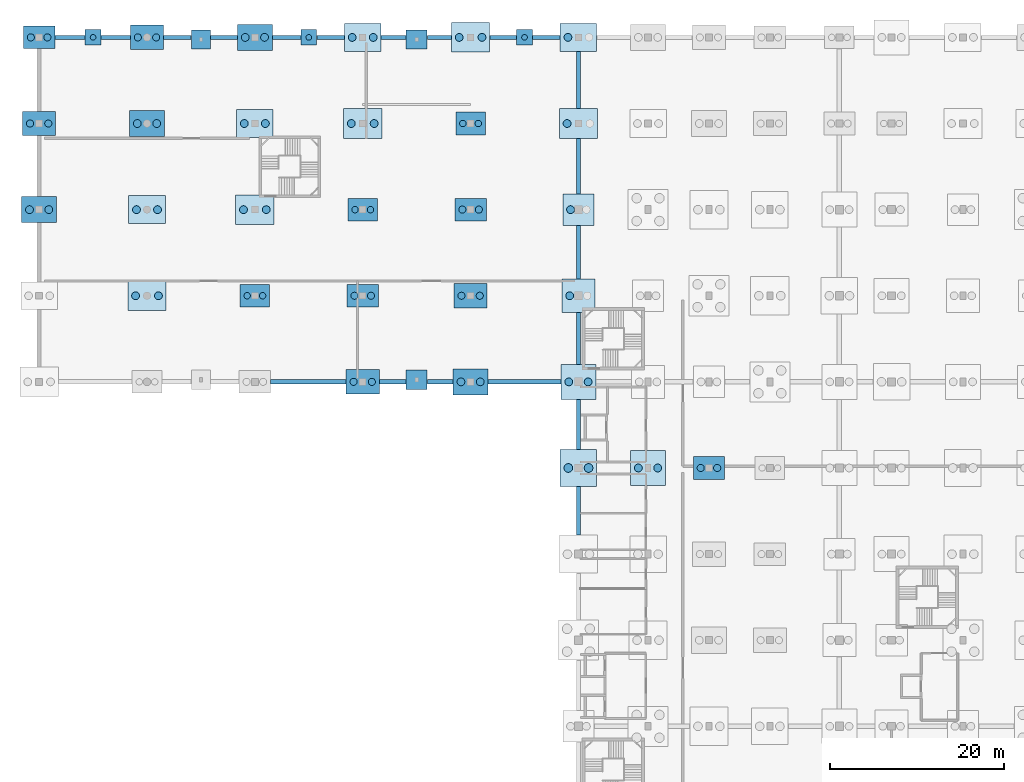
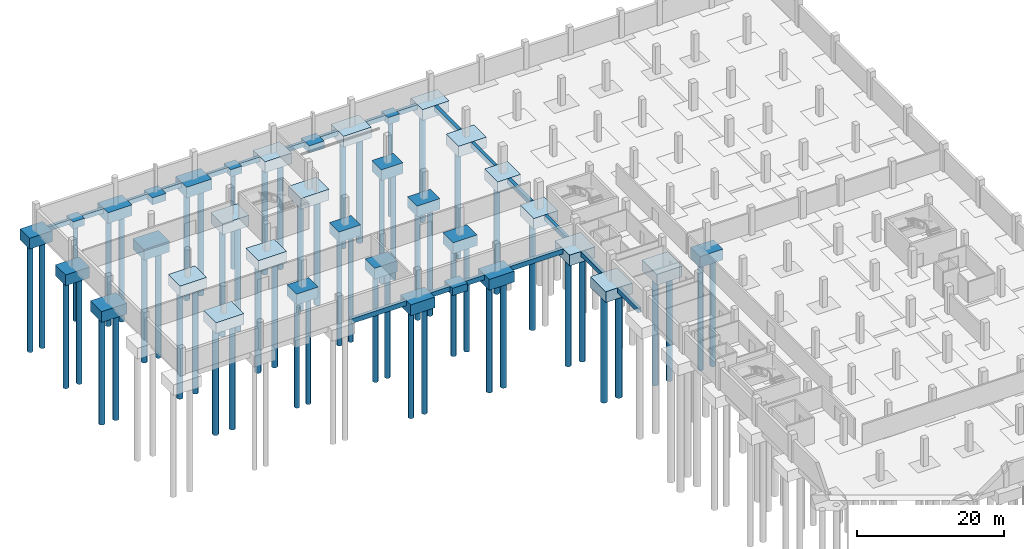
# One storey, part 3 of 30: 57 piles, 55 footings.
"""IFC4 building model written with IfcOpenShell, lengths in metres."""

from ifc_helpers import new_model, si_unit, direction, frame, origin, origin_2d, place, context, subcontext, project, spatial, rectangle, circle, extrude, material, layer, layer_set, material_profile, profile_set, type_object, element, save


model = new_model("IFC4")

# Units and contexts
model_context = context("Model", 3, precision=1e-05, world=origin(), true_north=direction((0.0, 1.0)))
body_context = subcontext(model_context, "Body", "Model", "MODEL_VIEW")
ifc_project = project(units=[si_unit("LENGTHUNIT", "METRE"), si_unit("AREAUNIT", "SQUARE_METRE"), si_unit("VOLUMEUNIT", "CUBIC_METRE"), si_unit("PLANEANGLEUNIT", "RADIAN"), si_unit("MASSUNIT", "GRAM", prefix="KILO")], contexts=[model_context])

# Site, building, storey
site_placement = place(None, origin())
site = spatial("IfcSite", under=ifc_project, at=site_placement, CompositionType="ELEMENT")
building_placement = place(site_placement, origin())
building = spatial("IfcBuilding", under=site, at=building_placement, Name="Sillaruma Civic Art Gallery", CompositionType="ELEMENT")
storey_placement = place(building_placement, frame((0.0, 0.0, -9.179931640625)))
storey = spatial("IfcBuildingStorey", under=building, at=storey_placement, Name="B02", CompositionType="ELEMENT", Elevation=-9.179931640625)

# Footings
ifc_material = material(Name="Concrete H35 (35 MPa)", Category="concrete")
ifc_material_profile_1 = material_profile(ifc_material, rectangle(XDim=0.449951171875, YDim=0.75, at=origin_2d()), Name="RCB450x750")
ifc_profile_set_1 = profile_set([ifc_material_profile_1], Name="Concrete H35 (35 MPa)")
footing_type_1 = type_object("IfcFootingType", Name="FTG-FB-450x750", PredefinedType="FOOTING_BEAM", material=ifc_profile_set_1)
footing_1_placement = place(storey_placement, frame((1.820068359375, 118.800048828125, -0.375), z_axis=(1.0, 0.0, 0.0), x_axis=(0.0, 1.0, 0.0)))
element("IfcFooting", 1, at=footing_1_placement, inside=storey, type_object=footing_type_1, Name="Foundation Tie Beam FB-02 (13:A-B:A)", PredefinedType="FOOTING_BEAM", context=body_context, shape_type="SweptSolid", body=[
    extrude(rectangle(XDim=0.449951171875, YDim=0.75, at=origin_2d()), origin(), (0.0, 0.0, 1.0), 3.4599609375),
])
footing_2_placement = place(storey_placement, frame((7.1201171875, 118.800048828125, -0.375), z_axis=(1.0, 0.0, 0.0), x_axis=(0.0, 1.0, 0.0)))
element("IfcFooting", 2, at=footing_2_placement, inside=storey, type_object=footing_type_1, Name="Foundation Tie Beam FB-02 (13:A-B:B)", PredefinedType="FOOTING_BEAM", context=body_context, shape_type="SweptSolid", body=[
    extrude(rectangle(XDim=0.449951171875, YDim=0.75, at=origin_2d()), origin(), (0.0, 0.0, 1.0), 3.35986328125),
])
footing_3_placement = place(storey_placement, frame((14.320068359375, 118.800048828125, -0.375), z_axis=(1.0, 0.0, 0.0), x_axis=(0.0, 1.0, 0.0)))
element("IfcFooting", 3, at=footing_3_placement, inside=storey, type_object=footing_type_1, Name="Foundation Tie Beam FB-02 (13:B-C:A)", PredefinedType="FOOTING_BEAM", context=body_context, shape_type="SweptSolid", body=[
    extrude(rectangle(XDim=0.449951171875, YDim=0.75, at=origin_2d()), origin(), (0.0, 0.0, 1.0), 3.159912109375),
])
footing_4_placement = place(storey_placement, frame((19.719970703125, 118.800048828125, -0.375), z_axis=(1.0, 0.0, 0.0), x_axis=(0.0, 1.0, 0.0)))
element("IfcFooting", 4, at=footing_4_placement, inside=storey, type_object=footing_type_1, Name="Foundation Tie Beam FB-02 (13:B-C:B)", PredefinedType="FOOTING_BEAM", context=body_context, shape_type="SweptSolid", body=[
    extrude(rectangle(XDim=0.449951171875, YDim=0.75, at=origin_2d()), origin(), (0.0, 0.0, 1.0), 3.06005859375),
])
footing_5_placement = place(storey_placement, frame((26.820068359375, 118.800048828125, -0.375), z_axis=(1.0, 0.0, 0.0), x_axis=(0.0, 1.0, 0.0)))
element("IfcFooting", 5, at=footing_5_placement, inside=storey, type_object=footing_type_1, Name="Foundation Tie Beam FB-02 (13:C-D:A)", PredefinedType="FOOTING_BEAM", context=body_context, shape_type="SweptSolid", body=[
    extrude(rectangle(XDim=0.449951171875, YDim=0.75, at=origin_2d()), origin(), (0.0, 0.0, 1.0), 3.260009765625),
])
footing_6_placement = place(storey_placement, frame((31.919921875, 118.800048828125, -0.375), z_axis=(1.0, 0.0, 0.0), x_axis=(0.0, 1.0, 0.0)))
element("IfcFooting", 6, at=footing_6_placement, inside=storey, type_object=footing_type_1, Name="Foundation Tie Beam FB-02 (13:C-D:B)", PredefinedType="FOOTING_BEAM", context=body_context, shape_type="SweptSolid", body=[
    extrude(rectangle(XDim=0.449951171875, YDim=0.75, at=origin_2d()), origin(), (0.0, 0.0, 1.0), 3.16015625),
])
footing_7_placement = place(storey_placement, frame((39.320068359375, 118.800048828125, -0.375), z_axis=(1.0, 0.0, 0.0), x_axis=(0.0, 1.0, 0.0)))
element("IfcFooting", 7, at=footing_7_placement, inside=storey, type_object=footing_type_1, Name="Foundation Tie Beam FB-02 (13:D-E:A)", PredefinedType="FOOTING_BEAM", context=body_context, shape_type="SweptSolid", body=[
    extrude(rectangle(XDim=0.449951171875, YDim=0.75, at=origin_2d()), origin(), (0.0, 0.0, 1.0), 2.85986328125),
])
footing_8_placement = place(storey_placement, frame((44.6201171875, 118.800048828125, -0.375), z_axis=(1.0, 0.0, 0.0), x_axis=(0.0, 1.0, 0.0)))
element("IfcFooting", 8, at=footing_8_placement, inside=storey, type_object=footing_type_1, Name="Foundation Tie Beam FB-02 (13:D-E:B)", PredefinedType="FOOTING_BEAM", context=body_context, shape_type="SweptSolid", body=[
    extrude(rectangle(XDim=0.449951171875, YDim=0.75, at=origin_2d()), origin(), (0.0, 0.0, 1.0), 2.759765625),
])
footing_9_placement = place(storey_placement, frame((51.820068359375, 118.800048828125, -0.375), z_axis=(1.0, 0.0, 0.0), x_axis=(0.0, 1.0, 0.0)))
element("IfcFooting", 9, at=footing_9_placement, inside=storey, type_object=footing_type_1, Name="Foundation Tie Beam FB-02 (13:E-F:A)", PredefinedType="FOOTING_BEAM", context=body_context, shape_type="SweptSolid", body=[
    extrude(rectangle(XDim=0.449951171875, YDim=0.75, at=origin_2d()), origin(), (0.0, 0.0, 1.0), 3.059814453125),
])
footing_10_placement = place(storey_placement, frame((56.719970703125, 118.800048828125, -0.375), z_axis=(1.0, 0.0, 0.0), x_axis=(0.0, 1.0, 0.0)))
element("IfcFooting", 10, at=footing_10_placement, inside=storey, type_object=footing_type_1, Name="Foundation Tie Beam FB-02 (13:E-F:B)", PredefinedType="FOOTING_BEAM", context=body_context, shape_type="SweptSolid", body=[
    extrude(rectangle(XDim=0.449951171875, YDim=0.75, at=origin_2d()), origin(), (0.0, 0.0, 1.0), 3.159912109375),
])
ifc_material_profile_2 = material_profile(ifc_material, rectangle(XDim=0.5, YDim=0.800048828125, at=origin_2d()), Name="RCB500x800")
ifc_profile_set_2 = profile_set([ifc_material_profile_2], Name="Concrete H35 (35 MPa)")
footing_type_2 = type_object("IfcFootingType", Name="FTG-FB-500x800", PredefinedType="FOOTING_BEAM", material=ifc_profile_set_2)
footing_11_placement = place(storey_placement, frame((26.6201171875, 79.199951171875, -0.400146484375), z_axis=(1.0, 0.0, 0.0), x_axis=(0.0, 1.0, 0.0)))
element("IfcFooting", 11, at=footing_11_placement, inside=storey, type_object=footing_type_2, Name="Foundation Tie Beam FB-01 (9:C-D:1)", PredefinedType="FOOTING_BEAM", context=body_context, shape_type="SweptSolid", body=[
    extrude(rectangle(XDim=0.5, YDim=0.800048828125, at=origin_2d()), origin(), (0.0, 0.0, 1.0), 8.659912109375),
])
footing_12_placement = place(storey_placement, frame((39.1201171875, 79.199951171875, -0.400146484375), z_axis=(1.0, 0.0, 0.0), x_axis=(0.0, 1.0, 0.0)))
element("IfcFooting", 12, at=footing_12_placement, inside=storey, type_object=footing_type_2, Name="Foundation Tie Beam FB-01 (9:D-E:A)", PredefinedType="FOOTING_BEAM", context=body_context, shape_type="SweptSolid", body=[
    extrude(rectangle(XDim=0.5, YDim=0.800048828125, at=origin_2d()), origin(), (0.0, 0.0, 1.0), 3.059814453125),
])
footing_13_placement = place(storey_placement, frame((44.6201171875, 79.199951171875, -0.400146484375), z_axis=(1.0, 0.0, 0.0), x_axis=(0.0, 1.0, 0.0)))
element("IfcFooting", 13, at=footing_13_placement, inside=storey, type_object=footing_type_2, Name="Foundation Tie Beam FB-01 (9:D-E:B)", PredefinedType="FOOTING_BEAM", context=body_context, shape_type="SweptSolid", body=[
    extrude(rectangle(XDim=0.5, YDim=0.800048828125, at=origin_2d()), origin(), (0.0, 0.0, 1.0), 2.9599609375),
])
footing_14_placement = place(storey_placement, frame((51.6201171875, 79.199951171875, -0.400146484375), z_axis=(1.0, 0.0, 0.0), x_axis=(0.0, 1.0, 0.0)))
element("IfcFooting", 14, at=footing_14_placement, inside=storey, type_object=footing_type_2, Name="Foundation Tie Beam FB-01 (9:E-F:1)", PredefinedType="FOOTING_BEAM", context=body_context, shape_type="SweptSolid", body=[
    extrude(rectangle(XDim=0.5, YDim=0.800048828125, at=origin_2d()), origin(), (0.0, 0.0, 1.0), 8.35986328125),
])
footing_15_placement = place(storey_placement, frame((62.0, 61.6201171875, -0.400146484375), z_axis=(0.0, 1.0, 0.0), x_axis=(-1.0, 0.0, 0.0)))
element("IfcFooting", 15, at=footing_15_placement, inside=storey, type_object=footing_type_2, Name="Foundation Tie Beam FB-01 (F:7-8)", PredefinedType="FOOTING_BEAM", context=body_context, shape_type="SweptSolid", body=[
    extrude(rectangle(XDim=0.5, YDim=0.800048828125, at=origin_2d()), origin(), (0.0, 0.0, 1.0), 5.559814453125),
])
footing_16_placement = place(storey_placement, frame((62.0, 71.419921875, -0.400146484375), z_axis=(0.0, 1.0, 0.0), x_axis=(-1.0, 0.0, 0.0)))
element("IfcFooting", 16, at=footing_16_placement, inside=storey, type_object=footing_type_2, Name="Foundation Tie Beam FB-01 (F:8-9)", PredefinedType="FOOTING_BEAM", context=body_context, shape_type="SweptSolid", body=[
    extrude(rectangle(XDim=0.5, YDim=0.800048828125, at=origin_2d()), origin(), (0.0, 0.0, 1.0), 5.760009765625),
])
footing_17_placement = place(storey_placement, frame((62.0, 81.219970703125, -0.400146484375), z_axis=(0.0, 1.0, 0.0), x_axis=(-1.0, 0.0, 0.0)))
element("IfcFooting", 17, at=footing_17_placement, inside=storey, type_object=footing_type_2, Name="Foundation Tie Beam FB-01 (F:9-10)", PredefinedType="FOOTING_BEAM", context=body_context, shape_type="SweptSolid", body=[
    extrude(rectangle(XDim=0.5, YDim=0.800048828125, at=origin_2d()), origin(), (0.0, 0.0, 1.0), 5.9599609375),
])
footing_18_placement = place(storey_placement, frame((62.0, 91.02001953125, -0.400146484375), z_axis=(0.0, 1.0, 0.0), x_axis=(-1.0, 0.0, 0.0)))
element("IfcFooting", 18, at=footing_18_placement, inside=storey, type_object=footing_type_2, Name="Foundation Tie Beam FB-01 (F:10-11)", PredefinedType="FOOTING_BEAM", context=body_context, shape_type="SweptSolid", body=[
    extrude(rectangle(XDim=0.5, YDim=0.800048828125, at=origin_2d()), origin(), (0.0, 0.0, 1.0), 6.159912109375),
])
footing_19_placement = place(storey_placement, frame((62.0, 100.820068359375, -0.400146484375), z_axis=(0.0, 1.0, 0.0), x_axis=(-1.0, 0.0, 0.0)))
element("IfcFooting", 19, at=footing_19_placement, inside=storey, type_object=footing_type_2, Name="Foundation Tie Beam FB-01 (F:11-12)", PredefinedType="FOOTING_BEAM", context=body_context, shape_type="SweptSolid", body=[
    extrude(rectangle(XDim=0.5, YDim=0.800048828125, at=origin_2d()), origin(), (0.0, 0.0, 1.0), 6.35986328125),
])
footing_20_placement = place(storey_placement, frame((62.0, 110.6201171875, -0.400146484375), z_axis=(0.0, 1.0, 0.0), x_axis=(-1.0, 0.0, 0.0)))
element("IfcFooting", 20, at=footing_20_placement, inside=storey, type_object=footing_type_2, Name="Foundation Tie Beam FB-01 (F:12-13)", PredefinedType="FOOTING_BEAM", context=body_context, shape_type="SweptSolid", body=[
    extrude(rectangle(XDim=0.5, YDim=0.800048828125, at=origin_2d()), origin(), (0.0, 0.0, 1.0), 6.559814453125),
])
ifc_layer_1 = layer(ifc_material, 1.199951171875, Name="Concrete H35 (35 MPa)")
ifc_layer_set_1 = layer_set([ifc_layer_1], Name="Concrete H35 (35 MPa)")
footing_type_3 = type_object("IfcFootingType", Name="FTG-PAD-18x18", PredefinedType="PAD_FOOTING", material=ifc_layer_set_1)
for number, where, z_axis, x_axis, name in (
    (21, (6.199951171875, 118.800048828125, -1.2001953125), (0.0, 0.0, 1.0), (1.0, 0.0, 0.0), "Shoring Pile Cap PF-03 (01)"),
    (22, (31.0, 118.800048828125, -1.2001953125), (0.0, 0.0, 1.0), (1.0, 0.0, 0.0), "Shoring Pile Cap PF-03 (02)"),
    (23, (55.800048828125, 118.800048828125, -1.2001953125), (0.0, 0.0, 1.0), (1.0, 0.0, 0.0), "Shoring Pile Cap PF-03 (03)"),
):
    element("IfcFooting", number, at=place(storey_placement, frame(where, z_axis=z_axis, x_axis=x_axis)), inside=storey, type_object=footing_type_3, Name=name, PredefinedType="PAD_FOOTING", context=body_context, shape_type="SweptSolid", body=[
        extrude(rectangle(XDim=1.800048828125, YDim=1.800048828125, at=origin_2d()), origin(), (0.0, 0.0, 1.0), 1.199951171875),
    ])
ifc_layer_2 = layer(ifc_material, 1.199951171875, Name="Concrete H35 (35 MPa)")
ifc_layer_set_2 = layer_set([ifc_layer_2], Name="Concrete H35 (35 MPa)")
footing_type_4 = type_object("IfcFootingType", Name="FTG-PAD-22x22", PredefinedType="PAD_FOOTING", material=ifc_layer_set_2)
footing_21_placement = place(storey_placement, frame((18.60009765625, 118.550048828125, -1.2001953125), z_axis=(0.0, 0.0, 1.0), x_axis=(1.0, 0.0, 0.0)))
element("IfcFooting", 24, at=footing_21_placement, inside=storey, type_object=footing_type_4, Name="Pad Footing PF-01 (PIL-W3)", PredefinedType="PAD_FOOTING", context=body_context, shape_type="SweptSolid", body=[
    extrude(rectangle(XDim=2.199951171875, YDim=2.199951171875, at=origin_2d()), origin(), (0.0, 0.0, 1.0), 1.199951171875),
])
ifc_layer_3 = layer(ifc_material, 1.199951171875, Name="Concrete H35 (35 MPa)")
ifc_layer_set_3 = layer_set([ifc_layer_3], Name="Concrete H35 (35 MPa)")
footing_type_5 = type_object("IfcFootingType", Name="FTG-PAD-24x22", PredefinedType="PAD_FOOTING", material=ifc_layer_set_3)
for number, where, z_axis, x_axis, name in (
    (25, (43.39990234375, 79.449951171875, -1.2001953125), (0.0, 0.0, 1.0), (1.0, 0.0, 0.0), "Pad Footing PF-02 (PIL-W2)"),
    (26, (43.39990234375, 118.550048828125, -1.2001953125), (0.0, 0.0, 1.0), (1.0, 0.0, 0.0), "Pad Footing PF-02 (PIL-W4)"),
):
    element("IfcFooting", number, at=place(storey_placement, frame(where, z_axis=z_axis, x_axis=x_axis)), inside=storey, type_object=footing_type_5, Name=name, PredefinedType="PAD_FOOTING", context=body_context, shape_type="SweptSolid", body=[
        extrude(rectangle(XDim=2.39990234375, YDim=2.199951171875, at=origin_2d()), origin(), (0.0, 0.0, 1.0), 1.199951171875),
    ])
ifc_layer_4 = layer(ifc_material, 1.800048828125, Name="Concrete H35 (35 MPa)")
ifc_layer_set_4 = layer_set([ifc_layer_4], Name="Concrete H35 (35 MPa)")
footing_type_6 = type_object("IfcFootingType", Name="FTG-PC-34x26", PredefinedType="PILE_CAP", material=ifc_layer_set_4)
for number, where, z_axis, x_axis, name in (
    (27, (24.800048828125, 89.10009765625, -1.80029296875), (0.0, 0.0, 1.0), (1.0, 0.0, 0.0), "Pile Cap PC-12 (C10)"),
    (28, (37.199951171875, 99.0, -1.80029296875), (0.0, 0.0, 1.0), (1.0, 0.0, 0.0), "Pile Cap PC-12 (D11)"),
    (29, (49.60009765625, 108.89990234375, -1.80029296875), (0.0, 0.0, 1.0), (1.0, 0.0, 0.0), "Pile Cap PC-12 (E12)"),
):
    element("IfcFooting", number, at=place(storey_placement, frame(where, z_axis=z_axis, x_axis=x_axis)), inside=storey, type_object=footing_type_6, Name=name, PredefinedType="PILE_CAP", context=body_context, shape_type="SweptSolid", body=[
        extrude(rectangle(XDim=3.39990234375, YDim=2.60009765625, at=origin_2d()), origin(), (0.0, 0.0, 1.0), 1.800048828125),
    ])
ifc_layer_5 = layer(ifc_material, 1.800048828125, Name="Concrete H35 (35 MPa)")
ifc_layer_set_5 = layer_set([ifc_layer_5], Name="Concrete H35 (35 MPa)")
footing_type_7 = type_object("IfcFootingType", Name="FTG-PC-36x26", PredefinedType="PILE_CAP", material=ifc_layer_set_5)
for number, where, z_axis, x_axis, name in (
    (30, (0.0, 118.800048828125, -1.80029296875), (0.0, 0.0, 1.0), (1.0, 0.0, 0.0), "Pile Cap PC-11 (A13)"),
    (31, (37.199951171875, 89.10009765625, -1.80029296875), (0.0, 0.0, 1.0), (1.0, 0.0, 0.0), "Pile Cap PC-11 (D10)"),
    (32, (49.60009765625, 99.0, -1.80029296875), (0.0, 0.0, 1.0), (1.0, 0.0, 0.0), "Pile Cap PC-11 (E11)"),
    (33, (77.0, 69.300048828125, -1.80029296875), (0.0, 0.0, 1.0), (1.0, 0.0, 0.0), "Pile Cap PC-11 (H8)"),
):
    element("IfcFooting", number, at=place(storey_placement, frame(where, z_axis=z_axis, x_axis=x_axis)), inside=storey, type_object=footing_type_7, Name=name, PredefinedType="PILE_CAP", context=body_context, shape_type="SweptSolid", body=[
        extrude(rectangle(XDim=3.60009765625, YDim=2.60009765625, at=origin_2d()), origin(), (0.0, 0.0, 1.0), 1.800048828125),
    ])
ifc_layer_6 = layer(ifc_material, 1.800048828125, Name="Concrete H35 (35 MPa)")
ifc_layer_set_6 = layer_set([ifc_layer_6], Name="Concrete H35 (35 MPa)")
footing_type_8 = type_object("IfcFootingType", Name="FTG-PC-36x36", PredefinedType="PILE_CAP", material=ifc_layer_set_6)
footing_22_placement = place(storey_placement, frame((62.0, 99.0, -1.80029296875), z_axis=(0.0, 0.0, 1.0), x_axis=(1.0, 0.0, 0.0)))
element("IfcFooting", 34, at=footing_22_placement, inside=storey, type_object=footing_type_8, Name="Pile Cap PC-06 (F11)", PredefinedType="PILE_CAP", context=body_context, shape_type="SweptSolid", body=[
    extrude(rectangle(XDim=3.60009765625, YDim=3.60009765625, at=origin_2d()), origin(), (0.0, 0.0, 1.0), 1.800048828125),
])
ifc_layer_7 = layer(ifc_material, 1.800048828125, Name="Concrete H35 (35 MPa)")
ifc_layer_set_7 = layer_set([ifc_layer_7], Name="Concrete H35 (35 MPa)")
footing_type_9 = type_object("IfcFootingType", Name="FTG-PC-38x28", PredefinedType="PILE_CAP", material=ifc_layer_set_7)
for number, where, z_axis, x_axis, name in (
    (35, (0.0, 108.89990234375, -1.80029296875), (0.0, 0.0, 1.0), (1.0, 0.0, 0.0), "Pile Cap PC-10 (A12)"),
    (36, (12.39990234375, 118.800048828125, -1.80029296875), (0.0, 0.0, 1.0), (1.0, 0.0, 0.0), "Pile Cap PC-10 (B13)"),
    (37, (37.199951171875, 79.199951171875, -1.80029296875), (0.0, 0.0, 1.0), (1.0, 0.0, 0.0), "Pile Cap PC-10 (D9)"),
    (38, (49.60009765625, 89.10009765625, -1.80029296875), (0.0, 0.0, 1.0), (1.0, 0.0, 0.0), "Pile Cap PC-10 (E10)"),
):
    element("IfcFooting", number, at=place(storey_placement, frame(where, z_axis=z_axis, x_axis=x_axis)), inside=storey, type_object=footing_type_9, Name=name, PredefinedType="PILE_CAP", context=body_context, shape_type="SweptSolid", body=[
        extrude(rectangle(XDim=3.800048828125, YDim=2.800048828125, at=origin_2d()), origin(), (0.0, 0.0, 1.0), 1.800048828125),
    ])
ifc_layer_8 = layer(ifc_material, 1.800048828125, Name="Concrete H35 (35 MPa)")
ifc_layer_set_8 = layer_set([ifc_layer_8], Name="Concrete H35 (35 MPa)")
footing_type_10 = type_object("IfcFootingType", Name="FTG-PC-38x38", PredefinedType="PILE_CAP", material=ifc_layer_set_8)
footing_23_placement = place(storey_placement, frame((62.0, 89.10009765625, -1.80029296875), z_axis=(0.0, 0.0, 1.0), x_axis=(1.0, 0.0, 0.0)))
element("IfcFooting", 39, at=footing_23_placement, inside=storey, type_object=footing_type_10, Name="Pile Cap PC-05 (F10)", PredefinedType="PILE_CAP", context=body_context, shape_type="SweptSolid", body=[
    extrude(rectangle(XDim=3.800048828125, YDim=3.800048828125, at=origin_2d()), origin(), (0.0, 0.0, 1.0), 1.800048828125),
])
ifc_layer_9 = layer(ifc_material, 1.800048828125, Name="Concrete H35 (35 MPa)")
ifc_layer_set_9 = layer_set([ifc_layer_9], Name="Concrete H35 (35 MPa)")
footing_type_11 = type_object("IfcFootingType", Name="FTG-PC-40x30", PredefinedType="PILE_CAP", material=ifc_layer_set_9)
for number, where, z_axis, x_axis, name in (
    (40, (0.0, 99.0, -1.80029296875), (0.0, 0.0, 1.0), (1.0, 0.0, 0.0), "Pile Cap PC-09 (A11)"),
    (41, (12.39990234375, 108.89990234375, -1.80029296875), (0.0, 0.0, 1.0), (1.0, 0.0, 0.0), "Pile Cap PC-09 (B12)"),
    (42, (24.800048828125, 118.800048828125, -1.80029296875), (0.0, 0.0, 1.0), (1.0, 0.0, 0.0), "Pile Cap PC-09 (C13)"),
    (43, (49.60009765625, 79.199951171875, -1.80029296875), (0.0, 0.0, 1.0), (1.0, 0.0, 0.0), "Pile Cap PC-09 (E9)"),
):
    element("IfcFooting", number, at=place(storey_placement, frame(where, z_axis=z_axis, x_axis=x_axis)), inside=storey, type_object=footing_type_11, Name=name, PredefinedType="PILE_CAP", context=body_context, shape_type="SweptSolid", body=[
        extrude(rectangle(XDim=4.0, YDim=3.0, at=origin_2d()), origin(), (0.0, 0.0, 1.0), 1.800048828125),
    ])
ifc_layer_10 = layer(ifc_material, 1.800048828125, Name="Concrete H35 (35 MPa)")
ifc_layer_set_10 = layer_set([ifc_layer_10], Name="Concrete H35 (35 MPa)")
footing_type_12 = type_object("IfcFootingType", Name="FTG-PC-40x40", PredefinedType="PILE_CAP", material=ifc_layer_set_10)
for number, where, z_axis, x_axis, name in (
    (44, (62.0, 79.199951171875, -1.80029296875), (0.0, 0.0, 1.0), (1.0, 0.0, 0.0), "Pile Cap PC-04 (F9)"),
    (45, (70.0, 69.300048828125, -1.80029296875), (0.0, 0.0, 1.0), (1.0, 0.0, 0.0), "Pile Cap PC-04 (G8)"),
):
    element("IfcFooting", number, at=place(storey_placement, frame(where, z_axis=z_axis, x_axis=x_axis)), inside=storey, type_object=footing_type_12, Name=name, PredefinedType="PILE_CAP", context=body_context, shape_type="SweptSolid", body=[
        extrude(rectangle(XDim=4.0, YDim=4.0, at=origin_2d()), origin(), (0.0, 0.0, 1.0), 1.800048828125),
    ])
ifc_layer_11 = layer(ifc_material, 1.800048828125, Name="Concrete H35 (35 MPa)")
ifc_layer_set_11 = layer_set([ifc_layer_11], Name="Concrete H35 (35 MPa)")
footing_type_13 = type_object("IfcFootingType", Name="FTG-PC-42x32", PredefinedType="PILE_CAP", material=ifc_layer_set_11)
for number, where, z_axis, x_axis, name in (
    (46, (12.39990234375, 99.0, -1.80029296875), (0.0, 0.0, 1.0), (1.0, 0.0, 0.0), "Pile Cap PC-08 (B11)"),
    (47, (24.800048828125, 108.89990234375, -1.80029296875), (0.0, 0.0, 1.0), (1.0, 0.0, 0.0), "Pile Cap PC-08 (C12)"),
    (48, (37.199951171875, 118.800048828125, -1.80029296875), (0.0, 0.0, 1.0), (1.0, 0.0, 0.0), "Pile Cap PC-08 (D13)"),
    (49, (62.0, 118.800048828125, -1.80029296875), (0.0, 0.0, 1.0), (1.0, 0.0, 0.0), "Pile Cap PC-08 (F13)"),
):
    element("IfcFooting", number, at=place(storey_placement, frame(where, z_axis=z_axis, x_axis=x_axis)), inside=storey, type_object=footing_type_13, Name=name, PredefinedType="PILE_CAP", context=body_context, shape_type="SweptSolid", body=[
        extrude(rectangle(XDim=4.199951171875, YDim=3.199951171875, at=origin_2d()), origin(), (0.0, 0.0, 1.0), 1.800048828125),
    ])
ifc_layer_12 = layer(ifc_material, 1.800048828125, Name="Concrete H35 (35 MPa)")
ifc_layer_set_12 = layer_set([ifc_layer_12], Name="Concrete H35 (35 MPa)")
footing_type_14 = type_object("IfcFootingType", Name="FTG-PC-42x42", PredefinedType="PILE_CAP", material=ifc_layer_set_12)
footing_24_placement = place(storey_placement, frame((62.0, 69.300048828125, -1.80029296875), z_axis=(0.0, 0.0, 1.0), x_axis=(1.0, 0.0, 0.0)))
element("IfcFooting", 50, at=footing_24_placement, inside=storey, type_object=footing_type_14, Name="Pile Cap PC-03 (F8)", PredefinedType="PILE_CAP", context=body_context, shape_type="SweptSolid", body=[
    extrude(rectangle(XDim=4.199951171875, YDim=4.199951171875, at=origin_2d()), origin(), (0.0, 0.0, 1.0), 1.800048828125),
])
ifc_layer_13 = layer(ifc_material, 1.800048828125, Name="Concrete H35 (35 MPa)")
ifc_layer_set_13 = layer_set([ifc_layer_13], Name="Concrete H35 (35 MPa)")
footing_type_15 = type_object("IfcFootingType", Name="FTG-PC-44x34", PredefinedType="PILE_CAP", material=ifc_layer_set_13)
for number, where, z_axis, x_axis, name in (
    (51, (12.39990234375, 89.10009765625, -1.80029296875), (0.0, 0.0, 1.0), (1.0, 0.0, 0.0), "Pile Cap PC-07 (B10)"),
    (52, (24.800048828125, 99.0, -1.80029296875), (0.0, 0.0, 1.0), (1.0, 0.0, 0.0), "Pile Cap PC-07 (C11)"),
    (53, (37.199951171875, 108.89990234375, -1.80029296875), (0.0, 0.0, 1.0), (1.0, 0.0, 0.0), "Pile Cap PC-07 (D12)"),
    (54, (49.60009765625, 118.800048828125, -1.80029296875), (0.0, 0.0, 1.0), (1.0, 0.0, 0.0), "Pile Cap PC-07 (E13)"),
    (55, (62.0, 108.89990234375, -1.80029296875), (0.0, 0.0, 1.0), (1.0, 0.0, 0.0), "Pile Cap PC-07 (F12)"),
):
    element("IfcFooting", number, at=place(storey_placement, frame(where, z_axis=z_axis, x_axis=x_axis)), inside=storey, type_object=footing_type_15, Name=name, PredefinedType="PILE_CAP", context=body_context, shape_type="SweptSolid", body=[
        extrude(rectangle(XDim=4.39990234375, YDim=3.39990234375, at=origin_2d()), origin(), (0.0, 0.0, 1.0), 1.800048828125),
    ])

# Piles
ifc_material_profile_3 = material_profile(ifc_material, circle(Radius=0.5, at=origin_2d()), Name="PILE1000")
ifc_profile_set_3 = profile_set([ifc_material_profile_3], Name="Concrete H35 (35 MPa)")
pile_type_1 = type_object("IfcPileType", Name="PIL-BORED-PILE1000", PredefinedType="BORED", material=ifc_profile_set_3)
for number, where, z_axis, x_axis, name in (
    (56, (60.840087890625, 69.300048828125, -1.800048828125), (0.0, 0.0, -1.0), (1.0, 0.0, 0.0), "Bored Pile PL-B1000 (F8-1)"),
    (57, (63.159912109375, 69.300048828125, -1.800048828125), (0.0, 0.0, -1.0), (1.0, 0.0, 0.0), "Bored Pile PL-B1000 (F8-2)"),
):
    element("IfcPile", number, at=place(storey_placement, frame(where, z_axis=z_axis, x_axis=x_axis)), inside=storey, type_object=pile_type_1, Name=name, PredefinedType="BORED", context=body_context, shape_type="SweptSolid", body=[
        extrude(circle(Radius=0.5, at=origin_2d()), origin(), (0.0, 0.0, 1.0), 18.0),
    ])
ifc_material_profile_4 = material_profile(ifc_material, circle(Radius=0.3701171875, at=origin_2d()), Name="PILE740")
ifc_profile_set_4 = profile_set([ifc_material_profile_4], Name="Concrete H35 (35 MPa)")
pile_type_2 = type_object("IfcPileType", Name="PIL-BORED-PILE740", PredefinedType="BORED", material=ifc_profile_set_4)
for number, where, z_axis, x_axis, name in (
    (58, (23.909912109375, 89.10009765625, -1.800048828125), (0.0, 0.0, -1.0), (1.0, 0.0, 0.0), "Bored Pile PL-B740 (C10-1)"),
    (59, (25.68994140625, 89.10009765625, -1.800048828125), (0.0, 0.0, -1.0), (1.0, 0.0, 0.0), "Bored Pile PL-B740 (C10-2)"),
    (60, (36.31005859375, 99.0, -1.800048828125), (0.0, 0.0, -1.0), (1.0, 0.0, 0.0), "Bored Pile PL-B740 (D11-1)"),
    (61, (38.090087890625, 99.0, -1.800048828125), (0.0, 0.0, -1.0), (1.0, 0.0, 0.0), "Bored Pile PL-B740 (D11-2)"),
    (62, (48.7099609375, 108.89990234375, -1.800048828125), (0.0, 0.0, -1.0), (1.0, 0.0, 0.0), "Bored Pile PL-B740 (E12-1)"),
    (63, (50.489990234375, 108.89990234375, -1.800048828125), (0.0, 0.0, -1.0), (1.0, 0.0, 0.0), "Bored Pile PL-B740 (E12-2)"),
):
    element("IfcPile", number, at=place(storey_placement, frame(where, z_axis=z_axis, x_axis=x_axis)), inside=storey, type_object=pile_type_2, Name=name, PredefinedType="BORED", context=body_context, shape_type="SweptSolid", body=[
        extrude(circle(Radius=0.3701171875, at=origin_2d()), origin(), (0.0, 0.0, 1.0), 18.0),
    ])
ifc_material_profile_5 = material_profile(ifc_material, circle(Radius=0.409912109375, at=origin_2d()), Name="PILE820")
ifc_profile_set_5 = profile_set([ifc_material_profile_5], Name="Concrete H35 (35 MPa)")
pile_type_3 = type_object("IfcPileType", Name="PIL-BORED-PILE820", PredefinedType="BORED", material=ifc_profile_set_5)
for number, where, z_axis, x_axis, name in (
    (64, (-1.050048828125, 108.89990234375, -1.800048828125), (0.0, 0.0, -1.0), (1.0, 0.0, 0.0), "Bored Pile PL-B820 (A12-1)"),
    (65, (1.050048828125, 108.89990234375, -1.800048828125), (0.0, 0.0, -1.0), (1.0, 0.0, 0.0), "Bored Pile PL-B820 (A12-2)"),
    (66, (-0.949951171875, 118.800048828125, -1.800048828125), (0.0, 0.0, -1.0), (1.0, 0.0, 0.0), "Bored Pile PL-B820 (A13-1)"),
    (67, (0.949951171875, 118.800048828125, -1.800048828125), (0.0, 0.0, -1.0), (1.0, 0.0, 0.0), "Bored Pile PL-B820 (A13-2)"),
    (68, (11.35009765625, 118.800048828125, -1.800048828125), (0.0, 0.0, -1.0), (1.0, 0.0, 0.0), "Bored Pile PL-B820 (B13-1)"),
    (69, (13.449951171875, 118.800048828125, -1.800048828125), (0.0, 0.0, -1.0), (1.0, 0.0, 0.0), "Bored Pile PL-B820 (B13-2)"),
    (70, (36.14990234375, 79.199951171875, -1.800048828125), (0.0, 0.0, -1.0), (1.0, 0.0, 0.0), "Bored Pile PL-B820 (D9-1)"),
    (71, (38.25, 79.199951171875, -1.800048828125), (0.0, 0.0, -1.0), (1.0, 0.0, 0.0), "Bored Pile PL-B820 (D9-2)"),
    (72, (36.25, 89.10009765625, -1.800048828125), (0.0, 0.0, -1.0), (1.0, 0.0, 0.0), "Bored Pile PL-B820 (D10-1)"),
    (73, (38.14990234375, 89.10009765625, -1.800048828125), (0.0, 0.0, -1.0), (1.0, 0.0, 0.0), "Bored Pile PL-B820 (D10-2)"),
    (74, (48.550048828125, 89.10009765625, -1.800048828125), (0.0, 0.0, -1.0), (1.0, 0.0, 0.0), "Bored Pile PL-B820 (E10-1)"),
    (75, (50.64990234375, 89.10009765625, -1.800048828125), (0.0, 0.0, -1.0), (1.0, 0.0, 0.0), "Bored Pile PL-B820 (E10-2)"),
    (76, (48.64990234375, 99.0, -1.800048828125), (0.0, 0.0, -1.0), (1.0, 0.0, 0.0), "Bored Pile PL-B820 (E11-1)"),
    (77, (50.550048828125, 99.0, -1.800048828125), (0.0, 0.0, -1.0), (1.0, 0.0, 0.0), "Bored Pile PL-B820 (E11-2)"),
    (78, (76.050048828125, 69.300048828125, -1.800048828125), (0.0, 0.0, -1.0), (1.0, 0.0, 0.0), "Bored Pile PL-B820 (H8-1)"),
    (79, (77.949951171875, 69.300048828125, -1.800048828125), (0.0, 0.0, -1.0), (1.0, 0.0, 0.0), "Bored Pile PL-B820 (H8-2)"),
):
    element("IfcPile", number, at=place(storey_placement, frame(where, z_axis=z_axis, x_axis=x_axis)), inside=storey, type_object=pile_type_3, Name=name, PredefinedType="BORED", context=body_context, shape_type="SweptSolid", body=[
        extrude(circle(Radius=0.409912109375, at=origin_2d()), origin(), (0.0, 0.0, 1.0), 18.0),
    ])
ifc_material_profile_6 = material_profile(ifc_material, circle(Radius=0.449951171875, at=origin_2d()), Name="PILE900")
ifc_profile_set_6 = profile_set([ifc_material_profile_6], Name="Concrete H35 (35 MPa)")
pile_type_4 = type_object("IfcPileType", Name="PIL-BORED-PILE900", PredefinedType="BORED", material=ifc_profile_set_6)
for number, where, z_axis, x_axis, name in (
    (80, (-1.110107421875, 99.0, -1.800048828125), (0.0, 0.0, -1.0), (1.0, 0.0, 0.0), "Bored Pile PL-B900 (A11-1)"),
    (81, (1.110107421875, 99.0, -1.800048828125), (0.0, 0.0, -1.0), (1.0, 0.0, 0.0), "Bored Pile PL-B900 (A11-2)"),
    (82, (11.090087890625, 89.10009765625, -1.800048828125), (0.0, 0.0, -1.0), (1.0, 0.0, 0.0), "Bored Pile PL-B900 (B10-1)"),
    (83, (13.7099609375, 89.10009765625, -1.800048828125), (0.0, 0.0, -1.0), (1.0, 0.0, 0.0), "Bored Pile PL-B900 (B10-2)"),
    (84, (11.18994140625, 99.0, -1.800048828125), (0.0, 0.0, -1.0), (1.0, 0.0, 0.0), "Bored Pile PL-B900 (B11-1)"),
    (85, (13.610107421875, 99.0, -1.800048828125), (0.0, 0.0, -1.0), (1.0, 0.0, 0.0), "Bored Pile PL-B900 (B11-2)"),
    (86, (11.2900390625, 108.89990234375, -1.800048828125), (0.0, 0.0, -1.0), (1.0, 0.0, 0.0), "Bored Pile PL-B900 (B12-1)"),
    (87, (13.510009765625, 108.89990234375, -1.800048828125), (0.0, 0.0, -1.0), (1.0, 0.0, 0.0), "Bored Pile PL-B900 (B12-2)"),
    (88, (23.489990234375, 99.0, -1.800048828125), (0.0, 0.0, -1.0), (1.0, 0.0, 0.0), "Bored Pile PL-B900 (C11-1)"),
    (89, (26.110107421875, 99.0, -1.800048828125), (0.0, 0.0, -1.0), (1.0, 0.0, 0.0), "Bored Pile PL-B900 (C11-2)"),
    (90, (23.590087890625, 108.89990234375, -1.800048828125), (0.0, 0.0, -1.0), (1.0, 0.0, 0.0), "Bored Pile PL-B900 (C12-1)"),
    (91, (26.010009765625, 108.89990234375, -1.800048828125), (0.0, 0.0, -1.0), (1.0, 0.0, 0.0), "Bored Pile PL-B900 (C12-2)"),
    (92, (23.68994140625, 118.800048828125, -1.800048828125), (0.0, 0.0, -1.0), (1.0, 0.0, 0.0), "Bored Pile PL-B900 (C13-1)"),
    (93, (25.909912109375, 118.800048828125, -1.800048828125), (0.0, 0.0, -1.0), (1.0, 0.0, 0.0), "Bored Pile PL-B900 (C13-2)"),
    (94, (35.889892578125, 108.89990234375, -1.800048828125), (0.0, 0.0, -1.0), (1.0, 0.0, 0.0), "Bored Pile PL-B900 (D12-1)"),
    (95, (38.510009765625, 108.89990234375, -1.800048828125), (0.0, 0.0, -1.0), (1.0, 0.0, 0.0), "Bored Pile PL-B900 (D12-2)"),
    (96, (35.989990234375, 118.800048828125, -1.800048828125), (0.0, 0.0, -1.0), (1.0, 0.0, 0.0), "Bored Pile PL-B900 (D13-1)"),
    (97, (38.409912109375, 118.800048828125, -1.800048828125), (0.0, 0.0, -1.0), (1.0, 0.0, 0.0), "Bored Pile PL-B900 (D13-2)"),
    (98, (48.489990234375, 79.199951171875, -1.800048828125), (0.0, 0.0, -1.0), (1.0, 0.0, 0.0), "Bored Pile PL-B900 (E9-1)"),
    (99, (50.7099609375, 79.199951171875, -1.800048828125), (0.0, 0.0, -1.0), (1.0, 0.0, 0.0), "Bored Pile PL-B900 (E9-2)"),
    (100, (48.2900390625, 118.800048828125, -1.800048828125), (0.0, 0.0, -1.0), (1.0, 0.0, 0.0), "Bored Pile PL-B900 (E13-1)"),
    (101, (50.909912109375, 118.800048828125, -1.800048828125), (0.0, 0.0, -1.0), (1.0, 0.0, 0.0), "Bored Pile PL-B900 (E13-2)"),
    (102, (60.889892578125, 79.199951171875, -1.800048828125), (0.0, 0.0, -1.0), (1.0, 0.0, 0.0), "Bored Pile PL-B900 (F9-1)"),
    (103, (63.110107421875, 79.199951171875, -1.800048828125), (0.0, 0.0, -1.0), (1.0, 0.0, 0.0), "Bored Pile PL-B900 (F9-2)"),
    (104, (60.989990234375, 89.10009765625, -1.800048828125), (0.0, 0.0, -1.0), (1.0, 0.0, 0.0), "Bored Pile PL-B900 (F10-1)"),
    (105, (61.090087890625, 99.0, -1.800048828125), (0.0, 0.0, -1.0), (1.0, 0.0, 0.0), "Bored Pile PL-B900 (F11-1)"),
    (106, (60.68994140625, 108.89990234375, -1.800048828125), (0.0, 0.0, -1.0), (1.0, 0.0, 0.0), "Bored Pile PL-B900 (F12-1)"),
    (107, (60.7900390625, 118.800048828125, -1.800048828125), (0.0, 0.0, -1.0), (1.0, 0.0, 0.0), "Bored Pile PL-B900 (F13-1)"),
    (108, (68.889892578125, 69.300048828125, -1.800048828125), (0.0, 0.0, -1.0), (1.0, 0.0, 0.0), "Bored Pile PL-B900 (G8-1)"),
    (109, (71.110107421875, 69.300048828125, -1.800048828125), (0.0, 0.0, -1.0), (1.0, 0.0, 0.0), "Bored Pile PL-B900 (G8-2)"),
):
    element("IfcPile", number, at=place(storey_placement, frame(where, z_axis=z_axis, x_axis=x_axis)), inside=storey, type_object=pile_type_4, Name=name, PredefinedType="BORED", context=body_context, shape_type="SweptSolid", body=[
        extrude(circle(Radius=0.449951171875, at=origin_2d()), origin(), (0.0, 0.0, 1.0), 18.0),
    ])
ifc_material_profile_7 = material_profile(ifc_material, circle(Radius=0.324951171875, at=origin_2d()), Name="PILE650")
ifc_profile_set_7 = profile_set([ifc_material_profile_7], Name="Concrete H35 (35 MPa)")
pile_type_5 = type_object("IfcPileType", Name="PIL-SUPPORT-PILE650", PredefinedType="SUPPORT", material=ifc_profile_set_7)
for number, where, z_axis, x_axis, name in (
    (110, (6.199951171875, 118.800048828125, -1.199951171875), (0.0, 0.0, -1.0), (1.0, 0.0, 0.0), "Shoring Support Pile PL-S650 (01)"),
    (111, (31.0, 118.800048828125, -1.199951171875), (0.0, 0.0, -1.0), (1.0, 0.0, 0.0), "Shoring Support Pile PL-S650 (02)"),
    (112, (55.800048828125, 118.800048828125, -1.199951171875), (0.0, 0.0, -1.0), (1.0, 0.0, 0.0), "Shoring Support Pile PL-S650 (03)"),
):
    element("IfcPile", number, at=place(storey_placement, frame(where, z_axis=z_axis, x_axis=x_axis)), inside=storey, type_object=pile_type_5, Name=name, PredefinedType="SUPPORT", context=body_context, shape_type="SweptSolid", body=[
        extrude(circle(Radius=0.324951171875, at=origin_2d()), origin(), (0.0, 0.0, 1.0), 16.0),
    ])

save(model, "model.ifc")
